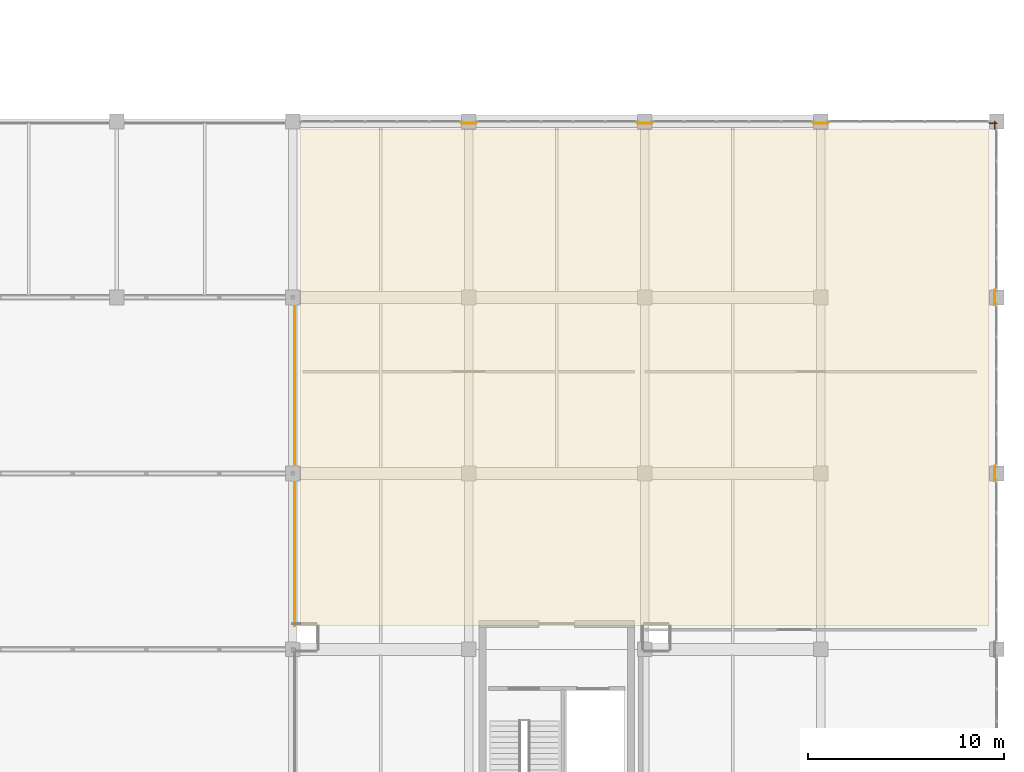
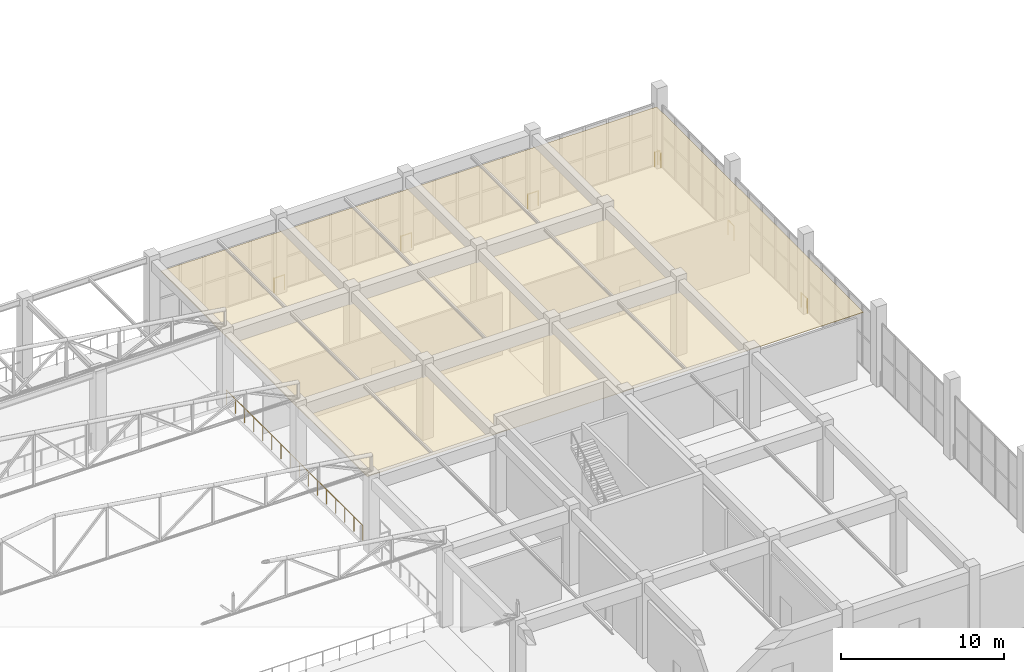
# One storey, part 216 of 223: 8 railings, 1 covering.
"""IFC4 building model written with IfcOpenShell, lengths in metres."""

from ifc_helpers import new_model, si_unit, direction, frame, origin, origin_2d, place, context, subcontext, project, spatial, polyline, circle, outline, extrude, material, layer, layer_set, type_object, element, save


model = new_model("IFC4")

# Units and contexts
model_context = context("Model", 3, precision=1e-05, world=origin(), true_north=direction((0.0, 1.0)))
body_context = subcontext(model_context, "Body", "Model", "MODEL_VIEW")
ifc_project = project(units=[si_unit("LENGTHUNIT", "METRE"), si_unit("AREAUNIT", "SQUARE_METRE"), si_unit("VOLUMEUNIT", "CUBIC_METRE"), si_unit("PLANEANGLEUNIT", "RADIAN"), si_unit("MASSUNIT", "GRAM", prefix="KILO")], contexts=[model_context])

# Site, building, storey
site_placement = place(None, origin())
site = spatial("IfcSite", under=ifc_project, at=site_placement, CompositionType="ELEMENT")
building_placement = place(site_placement, origin())
building = spatial("IfcBuilding", under=site, at=building_placement, Name="Dornveld Trade and Exhibition Forum", CompositionType="ELEMENT")
storey_placement = place(building_placement, frame((0.0, 0.0, 6.0)))
storey = spatial("IfcBuildingStorey", under=building, at=storey_placement, Name="L01", CompositionType="ELEMENT", Elevation=6.0)

# Covering
ifc_material_1 = material(Name="Suspended timber-slat acoustic ceiling", Category="wood")
ifc_layer = layer(ifc_material_1, 0.034912109375)
ifc_layer_set = layer_set([ifc_layer], Name="Suspended timber-slat acoustic ceiling")
covering_type = type_object("IfcCoveringType", Name="COV-CLG-ACOUST", PredefinedType="CEILING", material=ifc_layer_set)
covering_placement = place(storey_placement, frame((0.0, 0.0, 4.659912109375)))
element("IfcCovering", 1, at=covering_placement, inside=storey, type_object=covering_type, Name="L01 acoustic timber-slat ceiling 2", PredefinedType="CEILING", context=body_context, shape_type="SweptSolid", body=[
    extrude(outline(polyline([(198.39990234375, 28.199951171875), (233.60009765625, 28.199951171875), (233.60009765625, 53.60009765625), (198.39990234375, 53.60009765625), (198.39990234375, 28.199951171875)])), origin(), (0.0, 0.0, 1.0), 0.03515625),
])

# Railings
ifc_material_2 = material(Name="Dark-bronze steel and laminated glass balustrade", Category="steel")
railing_type = type_object("IfcRailingType", Name="RL-BALUST-CONC", PredefinedType="BALUSTRADE", material=ifc_material_2)
railing_1_placement = place(storey_placement, frame((198.10009765625, 28.199951171875, 0.0)))
element("IfcRailing", 2, at=railing_1_placement, inside=storey, type_object=railing_type, Name="L01 deck edge balustrade 7", PredefinedType="BALUSTRADE", context=body_context, shape_type="SweptSolid", body=[
    extrude(circle(Radius=0.02490234375, at=origin_2d()), frame((0.0, 0.0, 1.09521484375), z_axis=(0.0, 1.0, 0.0), x_axis=(-1.0, 0.0, 0.0)), (0.0, 0.0, 1.0), 16.800048828125),
    extrude(circle(Radius=0.02099609375, at=origin_2d()), origin(), (0.0, 0.0, 1.0), 1.070068359375),
    extrude(circle(Radius=0.02099609375, at=origin_2d()), frame((0.0, 1.1201171875, 0.0)), (0.0, 0.0, 1.0), 1.070068359375),
    extrude(circle(Radius=0.02099609375, at=origin_2d()), frame((0.0, 2.239990234375, 0.0)), (0.0, 0.0, 1.0), 1.070068359375),
    extrude(circle(Radius=0.02099609375, at=origin_2d()), frame((0.0, 3.360107421875, 0.0)), (0.0, 0.0, 1.0), 1.070068359375),
    extrude(circle(Radius=0.02099609375, at=origin_2d()), frame((0.0, 4.47998046875, 0.0)), (0.0, 0.0, 1.0), 1.070068359375),
    extrude(circle(Radius=0.02099609375, at=origin_2d()), frame((0.0, 5.60009765625, 0.0)), (0.0, 0.0, 1.0), 1.070068359375),
    extrude(circle(Radius=0.02099609375, at=origin_2d()), frame((0.0, 6.719970703125, 0.0)), (0.0, 0.0, 1.0), 1.070068359375),
    extrude(circle(Radius=0.02099609375, at=origin_2d()), frame((0.0, 7.840087890625, 0.0)), (0.0, 0.0, 1.0), 1.070068359375),
    extrude(circle(Radius=0.02099609375, at=origin_2d()), frame((0.0, 8.9599609375, 0.0)), (0.0, 0.0, 1.0), 1.070068359375),
    extrude(circle(Radius=0.02099609375, at=origin_2d()), frame((0.0, 10.080078125, 0.0)), (0.0, 0.0, 1.0), 1.070068359375),
    extrude(circle(Radius=0.02099609375, at=origin_2d()), frame((0.0, 11.199951171875, 0.0)), (0.0, 0.0, 1.0), 1.070068359375),
    extrude(circle(Radius=0.02099609375, at=origin_2d()), frame((0.0, 12.320068359375, 0.0)), (0.0, 0.0, 1.0), 1.070068359375),
    extrude(circle(Radius=0.02099609375, at=origin_2d()), frame((0.0, 13.43994140625, 0.0)), (0.0, 0.0, 1.0), 1.070068359375),
    extrude(circle(Radius=0.02099609375, at=origin_2d()), frame((0.0, 14.56005859375, 0.0)), (0.0, 0.0, 1.0), 1.070068359375),
    extrude(circle(Radius=0.02099609375, at=origin_2d()), frame((0.0, 15.679931640625, 0.0)), (0.0, 0.0, 1.0), 1.070068359375),
    extrude(circle(Radius=0.02099609375, at=origin_2d()), frame((0.0, 16.800048828125, 0.0)), (0.0, 0.0, 1.0), 1.070068359375),
])
for number, where, name in (
    (3, (206.62890625, 53.89990234375, 0.0), "L01 deck edge balustrade 25"),
    (4, (215.62890625, 53.89990234375, 0.0), "L01 deck edge balustrade 26"),
    (5, (224.62890625, 53.89990234375, 0.0), "L01 deck edge balustrade 27"),
):
    element("IfcRailing", number, at=place(storey_placement, frame(where)), inside=storey, type_object=railing_type, Name=name, PredefinedType="BALUSTRADE", context=body_context, shape_type="SweptSolid", body=[
        extrude(circle(Radius=0.02490234375, at=origin_2d()), frame((0.0, 0.0, 1.09521484375), z_axis=(1.0, 0.0, 0.0), x_axis=(0.0, 1.0, 0.0)), (0.0, 0.0, 1.0), 0.7421875),
        extrude(circle(Radius=0.02099609375, at=origin_2d()), origin(), (0.0, 0.0, 1.0), 1.070068359375),
        extrude(circle(Radius=0.02099609375, at=origin_2d()), frame((0.7421875, 0.0, 0.0)), (0.0, 0.0, 1.0), 1.070068359375),
    ])
railing_2_placement = place(storey_placement, frame((233.62890625, 53.89990234375, 0.0)))
element("IfcRailing", 6, at=railing_2_placement, inside=storey, type_object=railing_type, Name="L01 deck edge balustrade 28", PredefinedType="BALUSTRADE", context=body_context, shape_type="SweptSolid", body=[
    extrude(circle(Radius=0.02490234375, at=origin_2d()), frame((0.0, 0.0, 1.09521484375), z_axis=(1.0, 0.0, 0.0), x_axis=(0.0, 1.0, 0.0)), (0.0, 0.0, 1.0), 0.37109375),
    extrude(circle(Radius=0.02099609375, at=origin_2d()), origin(), (0.0, 0.0, 1.0), 1.070068359375),
    extrude(circle(Radius=0.02099609375, at=origin_2d()), frame((0.37109375, 0.0, 0.0)), (0.0, 0.0, 1.0), 1.070068359375),
])
railing_3_placement = place(storey_placement, frame((233.89990234375, 54.0, 0.0)))
element("IfcRailing", 7, at=railing_3_placement, inside=storey, type_object=railing_type, Name="L01 deck edge balustrade 29", PredefinedType="BALUSTRADE", context=body_context, shape_type="SweptSolid", body=[
    extrude(circle(Radius=0.02490234375, at=origin_2d()), frame((0.0, 0.0, 1.09521484375), z_axis=(0.0, -1.0, 0.0), x_axis=(1.0, 0.0, 0.0)), (0.0, 0.0, 1.0), 0.37109375),
    extrude(circle(Radius=0.02099609375, at=origin_2d()), origin(), (0.0, 0.0, 1.0), 1.070068359375),
    extrude(circle(Radius=0.02099609375, at=origin_2d()), frame((0.0, -0.37109375, 0.0)), (0.0, 0.0, 1.0), 1.070068359375),
])
for number, where, name in (
    (8, (233.89990234375, 45.37109375, 0.0), "L01 deck edge balustrade 30"),
    (9, (233.89990234375, 36.37109375, 0.0), "L01 deck edge balustrade 31"),
):
    element("IfcRailing", number, at=place(storey_placement, frame(where)), inside=storey, type_object=railing_type, Name=name, PredefinedType="BALUSTRADE", context=body_context, shape_type="SweptSolid", body=[
        extrude(circle(Radius=0.02490234375, at=origin_2d()), frame((0.0, 0.0, 1.09521484375), z_axis=(0.0, -1.0, 0.0), x_axis=(1.0, 0.0, 0.0)), (0.0, 0.0, 1.0), 0.7421875),
        extrude(circle(Radius=0.02099609375, at=origin_2d()), origin(), (0.0, 0.0, 1.0), 1.070068359375),
        extrude(circle(Radius=0.02099609375, at=origin_2d()), frame((0.0, -0.7421875, 0.0)), (0.0, 0.0, 1.0), 1.070068359375),
    ])

save(model, "model.ifc")
